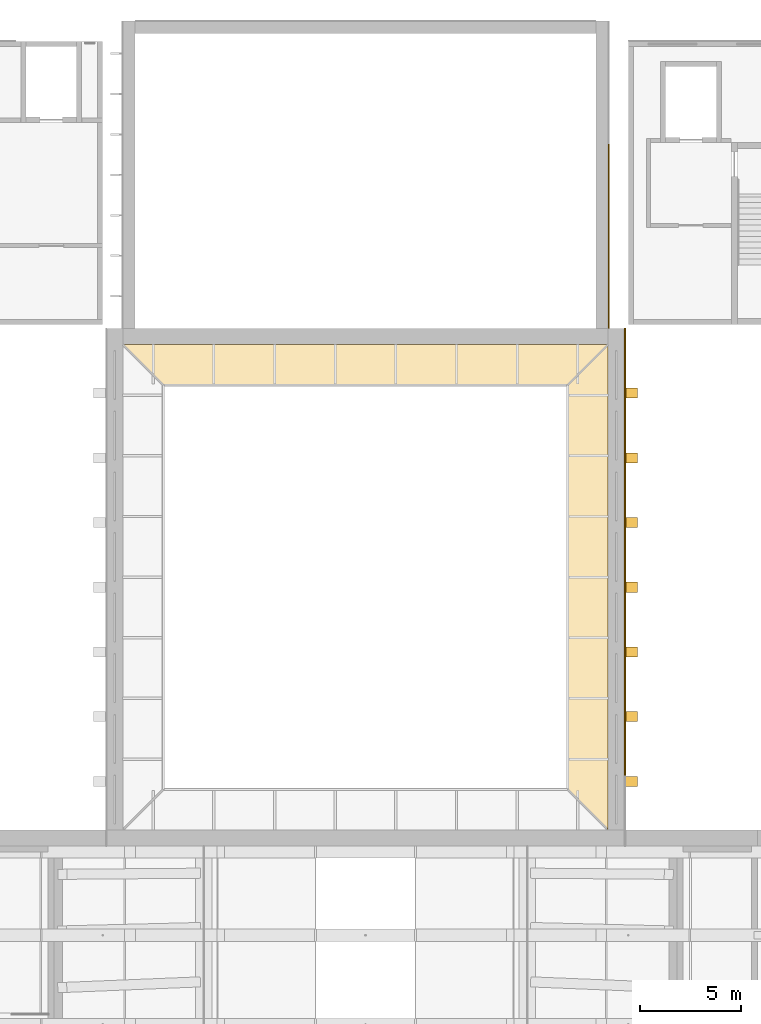
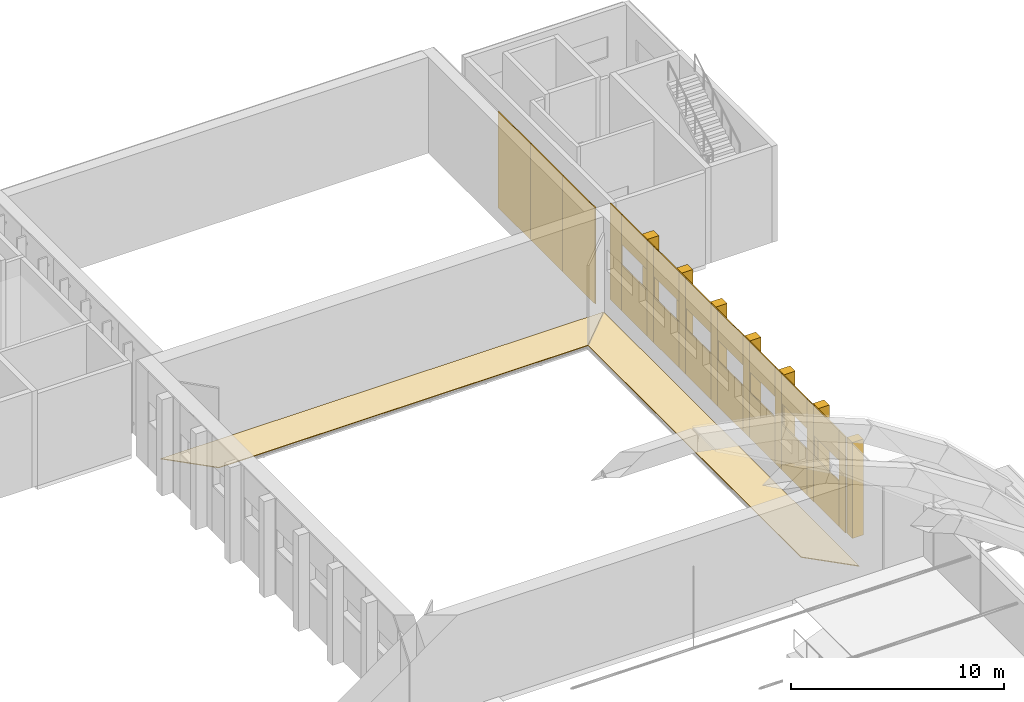
# One storey, part 89 of 94: 34 coverings.
"""IFC4 building model written with IfcOpenShell, lengths in metres."""

from ifc_helpers import new_model, si_unit, direction, frame, origin, origin_2d, place, context, subcontext, project, spatial, polyline, rectangle, outline, extrude, material, layer, layer_set, type_object, element, save


model = new_model("IFC4")

# Units and contexts
model_context = context("Model", 3, precision=1e-05, world=origin(), true_north=direction((0.0, 1.0)))
body_context = subcontext(model_context, "Body", "Model", "MODEL_VIEW")
ifc_project = project(units=[si_unit("LENGTHUNIT", "METRE"), si_unit("AREAUNIT", "SQUARE_METRE"), si_unit("VOLUMEUNIT", "CUBIC_METRE"), si_unit("PLANEANGLEUNIT", "RADIAN"), si_unit("MASSUNIT", "GRAM", prefix="KILO")], contexts=[model_context])

# Site, building, storey
site_placement = place(None, origin())
site = spatial("IfcSite", under=ifc_project, at=site_placement, CompositionType="ELEMENT")
building_placement = place(site_placement, origin())
building = spatial("IfcBuilding", under=site, at=building_placement, Name="Lunette Opera House", CompositionType="ELEMENT")
storey_placement = place(building_placement, frame((0.0, 0.0, 22.5)))
storey = spatial("IfcBuildingStorey", under=building, at=storey_placement, Name="L04", CompositionType="ELEMENT", Elevation=22.5)

# Coverings
ifc_material_1 = material(Name="Aluminium standing seam cladding", Category="aluminium")
ifc_layer_1 = layer(ifc_material_1, 0.06005859375)
ifc_layer_set_1 = layer_set([ifc_layer_1], Name="Aluminium standing seam cladding")
covering_type_1 = type_object("IfcCoveringType", Name="STANDING SEAM CLADDING 60", PredefinedType="CLADDING", material=ifc_layer_set_1)
covering_1_placement = place(storey_placement, frame((108.830078125, 99.0, 0.0), z_axis=(0.0, 0.0, 1.0), x_axis=(0.0, 1.0, 0.0)))
element("IfcCovering", 1, at=covering_1_placement, inside=storey, type_object=covering_type_1, Name="Standing seam cladding WE L04 20", PredefinedType="CLADDING", context=body_context, shape_type="SweptSolid", body=[
    extrude(rectangle(XDim=0.60009765625, YDim=0.06005859375, at=origin_2d()), origin(), (0.0, 0.0, 1.0), 5.5),
])
covering_2_placement = place(storey_placement, frame((108.830078125, 100.5, 0.0), z_axis=(0.0, 0.0, 1.0), x_axis=(0.0, 1.0, 0.0)))
element("IfcCovering", 2, at=covering_2_placement, inside=storey, type_object=covering_type_1, Name="Standing seam cladding WE L04 30", PredefinedType="CLADDING", context=body_context, shape_type="SweptSolid", body=[
    extrude(rectangle(XDim=2.39990234375, YDim=0.06005859375, at=origin_2d()), origin(), (0.0, 0.0, 1.0), 2.60009765625),
])
covering_3_placement = place(storey_placement, frame((108.830078125, 100.5, 3.7998046875), z_axis=(0.0, 0.0, 1.0), x_axis=(0.0, 1.0, 0.0)))
element("IfcCovering", 3, at=covering_3_placement, inside=storey, type_object=covering_type_1, Name="Standing seam cladding WE L04 31", PredefinedType="CLADDING", context=body_context, shape_type="SweptSolid", body=[
    extrude(rectangle(XDim=2.39990234375, YDim=0.06005859375, at=origin_2d()), origin(), (0.0, 0.0, 1.0), 1.699951171875),
])
covering_4_placement = place(storey_placement, frame((108.830078125, 102.0, 0.0), z_axis=(0.0, 0.0, 1.0), x_axis=(0.0, 1.0, 0.0)))
element("IfcCovering", 4, at=covering_4_placement, inside=storey, type_object=covering_type_1, Name="Standing seam cladding WE L04 40", PredefinedType="CLADDING", context=body_context, shape_type="SweptSolid", body=[
    extrude(rectangle(XDim=0.60009765625, YDim=0.06005859375, at=origin_2d()), origin(), (0.0, 0.0, 1.0), 5.5),
])
covering_5_placement = place(storey_placement, frame((108.830078125, 103.5, 0.0), z_axis=(0.0, 0.0, 1.0), x_axis=(0.0, 1.0, 0.0)))
element("IfcCovering", 5, at=covering_5_placement, inside=storey, type_object=covering_type_1, Name="Standing seam cladding WE L04 50", PredefinedType="CLADDING", context=body_context, shape_type="SweptSolid", body=[
    extrude(rectangle(XDim=2.39990234375, YDim=0.06005859375, at=origin_2d()), origin(), (0.0, 0.0, 1.0), 2.60009765625),
])
covering_6_placement = place(storey_placement, frame((108.830078125, 103.5, 3.7998046875), z_axis=(0.0, 0.0, 1.0), x_axis=(0.0, 1.0, 0.0)))
element("IfcCovering", 6, at=covering_6_placement, inside=storey, type_object=covering_type_1, Name="Standing seam cladding WE L04 51", PredefinedType="CLADDING", context=body_context, shape_type="SweptSolid", body=[
    extrude(rectangle(XDim=2.39990234375, YDim=0.06005859375, at=origin_2d()), origin(), (0.0, 0.0, 1.0), 1.699951171875),
])
covering_7_placement = place(storey_placement, frame((108.830078125, 105.0, 0.0), z_axis=(0.0, 0.0, 1.0), x_axis=(0.0, 1.0, 0.0)))
element("IfcCovering", 7, at=covering_7_placement, inside=storey, type_object=covering_type_1, Name="Standing seam cladding WE L04 60", PredefinedType="CLADDING", context=body_context, shape_type="SweptSolid", body=[
    extrude(rectangle(XDim=0.60009765625, YDim=0.06005859375, at=origin_2d()), origin(), (0.0, 0.0, 1.0), 5.5),
])
covering_8_placement = place(storey_placement, frame((108.830078125, 106.5, 0.0), z_axis=(0.0, 0.0, 1.0), x_axis=(0.0, 1.0, 0.0)))
element("IfcCovering", 8, at=covering_8_placement, inside=storey, type_object=covering_type_1, Name="Standing seam cladding WE L04 70", PredefinedType="CLADDING", context=body_context, shape_type="SweptSolid", body=[
    extrude(rectangle(XDim=2.39990234375, YDim=0.06005859375, at=origin_2d()), origin(), (0.0, 0.0, 1.0), 2.60009765625),
])
covering_9_placement = place(storey_placement, frame((108.830078125, 106.5, 3.7998046875), z_axis=(0.0, 0.0, 1.0), x_axis=(0.0, 1.0, 0.0)))
element("IfcCovering", 9, at=covering_9_placement, inside=storey, type_object=covering_type_1, Name="Standing seam cladding WE L04 71", PredefinedType="CLADDING", context=body_context, shape_type="SweptSolid", body=[
    extrude(rectangle(XDim=2.39990234375, YDim=0.06005859375, at=origin_2d()), origin(), (0.0, 0.0, 1.0), 1.699951171875),
])
covering_10_placement = place(storey_placement, frame((108.830078125, 108.0, 0.0), z_axis=(0.0, 0.0, 1.0), x_axis=(0.0, 1.0, 0.0)))
element("IfcCovering", 10, at=covering_10_placement, inside=storey, type_object=covering_type_1, Name="Standing seam cladding WE L04 80", PredefinedType="CLADDING", context=body_context, shape_type="SweptSolid", body=[
    extrude(rectangle(XDim=0.60009765625, YDim=0.06005859375, at=origin_2d()), origin(), (0.0, 0.0, 1.0), 5.5),
])
covering_11_placement = place(storey_placement, frame((108.830078125, 109.5, 0.0), z_axis=(0.0, 0.0, 1.0), x_axis=(0.0, 1.0, 0.0)))
element("IfcCovering", 11, at=covering_11_placement, inside=storey, type_object=covering_type_1, Name="Standing seam cladding WE L04 90", PredefinedType="CLADDING", context=body_context, shape_type="SweptSolid", body=[
    extrude(rectangle(XDim=2.39990234375, YDim=0.06005859375, at=origin_2d()), origin(), (0.0, 0.0, 1.0), 2.60009765625),
])
covering_12_placement = place(storey_placement, frame((108.830078125, 109.5, 3.7998046875), z_axis=(0.0, 0.0, 1.0), x_axis=(0.0, 1.0, 0.0)))
element("IfcCovering", 12, at=covering_12_placement, inside=storey, type_object=covering_type_1, Name="Standing seam cladding WE L04 91", PredefinedType="CLADDING", context=body_context, shape_type="SweptSolid", body=[
    extrude(rectangle(XDim=2.39990234375, YDim=0.06005859375, at=origin_2d()), origin(), (0.0, 0.0, 1.0), 1.699951171875),
])
covering_13_placement = place(storey_placement, frame((108.830078125, 111.0, 0.0), z_axis=(0.0, 0.0, 1.0), x_axis=(0.0, 1.0, 0.0)))
element("IfcCovering", 13, at=covering_13_placement, inside=storey, type_object=covering_type_1, Name="Standing seam cladding WE L04 100", PredefinedType="CLADDING", context=body_context, shape_type="SweptSolid", body=[
    extrude(rectangle(XDim=0.60009765625, YDim=0.06005859375, at=origin_2d()), origin(), (0.0, 0.0, 1.0), 5.5),
])
covering_14_placement = place(storey_placement, frame((108.830078125, 112.5, 0.0), z_axis=(0.0, 0.0, 1.0), x_axis=(0.0, 1.0, 0.0)))
element("IfcCovering", 14, at=covering_14_placement, inside=storey, type_object=covering_type_1, Name="Standing seam cladding WE L04 110", PredefinedType="CLADDING", context=body_context, shape_type="SweptSolid", body=[
    extrude(rectangle(XDim=2.39990234375, YDim=0.06005859375, at=origin_2d()), origin(), (0.0, 0.0, 1.0), 2.60009765625),
])
covering_15_placement = place(storey_placement, frame((108.830078125, 112.5, 3.7998046875), z_axis=(0.0, 0.0, 1.0), x_axis=(0.0, 1.0, 0.0)))
element("IfcCovering", 15, at=covering_15_placement, inside=storey, type_object=covering_type_1, Name="Standing seam cladding WE L04 111", PredefinedType="CLADDING", context=body_context, shape_type="SweptSolid", body=[
    extrude(rectangle(XDim=2.39990234375, YDim=0.06005859375, at=origin_2d()), origin(), (0.0, 0.0, 1.0), 1.699951171875),
])
covering_16_placement = place(storey_placement, frame((108.830078125, 114.0, 0.0), z_axis=(0.0, 0.0, 1.0), x_axis=(0.0, 1.0, 0.0)))
element("IfcCovering", 16, at=covering_16_placement, inside=storey, type_object=covering_type_1, Name="Standing seam cladding WE L04 120", PredefinedType="CLADDING", context=body_context, shape_type="SweptSolid", body=[
    extrude(rectangle(XDim=0.60009765625, YDim=0.06005859375, at=origin_2d()), origin(), (0.0, 0.0, 1.0), 5.5),
])
covering_17_placement = place(storey_placement, frame((108.830078125, 115.5, 0.0), z_axis=(0.0, 0.0, 1.0), x_axis=(0.0, 1.0, 0.0)))
element("IfcCovering", 17, at=covering_17_placement, inside=storey, type_object=covering_type_1, Name="Standing seam cladding WE L04 130", PredefinedType="CLADDING", context=body_context, shape_type="SweptSolid", body=[
    extrude(rectangle(XDim=2.39990234375, YDim=0.06005859375, at=origin_2d()), origin(), (0.0, 0.0, 1.0), 2.60009765625),
])
covering_18_placement = place(storey_placement, frame((108.830078125, 115.5, 3.7998046875), z_axis=(0.0, 0.0, 1.0), x_axis=(0.0, 1.0, 0.0)))
element("IfcCovering", 18, at=covering_18_placement, inside=storey, type_object=covering_type_1, Name="Standing seam cladding WE L04 131", PredefinedType="CLADDING", context=body_context, shape_type="SweptSolid", body=[
    extrude(rectangle(XDim=2.39990234375, YDim=0.06005859375, at=origin_2d()), origin(), (0.0, 0.0, 1.0), 1.699951171875),
])
covering_19_placement = place(storey_placement, frame((108.830078125, 117.0, 0.0), z_axis=(0.0, 0.0, 1.0), x_axis=(0.0, 1.0, 0.0)))
element("IfcCovering", 19, at=covering_19_placement, inside=storey, type_object=covering_type_1, Name="Standing seam cladding WE L04 140", PredefinedType="CLADDING", context=body_context, shape_type="SweptSolid", body=[
    extrude(rectangle(XDim=0.60009765625, YDim=0.06005859375, at=origin_2d()), origin(), (0.0, 0.0, 1.0), 5.5),
])
covering_20_placement = place(storey_placement, frame((108.830078125, 118.5, 0.0), z_axis=(0.0, 0.0, 1.0), x_axis=(0.0, 1.0, 0.0)))
element("IfcCovering", 20, at=covering_20_placement, inside=storey, type_object=covering_type_1, Name="Standing seam cladding WE L04 150", PredefinedType="CLADDING", context=body_context, shape_type="SweptSolid", body=[
    extrude(rectangle(XDim=2.39990234375, YDim=0.06005859375, at=origin_2d()), origin(), (0.0, 0.0, 1.0), 2.60009765625),
])
covering_21_placement = place(storey_placement, frame((108.830078125, 118.5, 3.7998046875), z_axis=(0.0, 0.0, 1.0), x_axis=(0.0, 1.0, 0.0)))
element("IfcCovering", 21, at=covering_21_placement, inside=storey, type_object=covering_type_1, Name="Standing seam cladding WE L04 151", PredefinedType="CLADDING", context=body_context, shape_type="SweptSolid", body=[
    extrude(rectangle(XDim=2.39990234375, YDim=0.06005859375, at=origin_2d()), origin(), (0.0, 0.0, 1.0), 1.699951171875),
])
covering_22_placement = place(storey_placement, frame((108.830078125, 120.25, 0.0), z_axis=(0.0, 0.0, 1.0), x_axis=(0.0, 1.0, 0.0)))
element("IfcCovering", 22, at=covering_22_placement, inside=storey, type_object=covering_type_1, Name="Standing seam cladding WE L04 160", PredefinedType="CLADDING", context=body_context, shape_type="SweptSolid", body=[
    extrude(rectangle(XDim=1.10009765625, YDim=0.06005859375, at=origin_2d()), origin(), (0.0, 0.0, 1.0), 5.5),
])
for number, where, z_axis, x_axis, name in (
    (23, (108.030029296875, 122.320068359375, 0.0), (0.0, 0.0, 1.0), (0.0, 1.0, 0.0), "Standing seam cladding SR-E-1 L04 00"),
    (24, (108.030029296875, 125.360107421875, 0.0), (0.0, 0.0, 1.0), (0.0, 1.0, 0.0), "Standing seam cladding SR-E-1 L04 01"),
    (25, (108.030029296875, 128.39990234375, 0.0), (0.0, 0.0, 1.0), (0.0, 1.0, 0.0), "Standing seam cladding SR-E-1 L04 02"),
):
    element("IfcCovering", number, at=place(storey_placement, frame(where, z_axis=z_axis, x_axis=x_axis)), inside=storey, type_object=covering_type_1, Name=name, PredefinedType="CLADDING", context=body_context, shape_type="SweptSolid", body=[
        extrude(rectangle(XDim=3.0400390625, YDim=0.06005859375, at=origin_2d()), origin(), (0.0, 0.0, 1.0), 5.5),
    ])
ifc_material_2 = material(Name="Timber", Category="wood")
ifc_layer_2 = layer(ifc_material_2, 0.0400390625)
ifc_layer_set_2 = layer_set([ifc_layer_2], Name="Timber")
covering_type_2 = type_object("IfcCoveringType", Name="TIMBER FLOOR FINISH 40", PredefinedType="FLOORING", material=ifc_layer_set_2)
covering_23_placement = place(storey_placement, origin())
element("IfcCovering", 26, at=covering_23_placement, inside=storey, type_object=covering_type_2, Name="Floor finish Fly Gallery 22.5 North", PredefinedType="FLOORING", context=body_context, shape_type="SweptSolid", body=[
    extrude(outline(polyline([(106.0, 118.0), (86.0, 118.0), (84.0, 120.0), (108.0, 120.0), (106.0, 118.0)])), origin(), (0.0, 0.0, 1.0), 0.0400390625),
])
covering_24_placement = place(storey_placement, origin())
element("IfcCovering", 27, at=covering_24_placement, inside=storey, type_object=covering_type_2, Name="Floor finish Fly Gallery 22.5 East", PredefinedType="FLOORING", context=body_context, shape_type="SweptSolid", body=[
    extrude(outline(polyline([(106.0, 98.0), (106.0, 118.0), (108.0, 120.0), (108.0, 96.0), (106.0, 98.0)])), origin(), (0.0, 0.0, 1.0), 0.0400390625),
])
ifc_material_3 = material(Name="Weathering steel plate", Category="steel")
ifc_layer_3 = layer(ifc_material_3, 0.60009765625)
ifc_layer_set_3 = layer_set([ifc_layer_3], Name="Weathering steel plate")
covering_type_3 = type_object("IfcCoveringType", Name="TOWER RIB 500 X 600", PredefinedType="CLADDING", material=ifc_layer_set_3)
for number, where, z_axis, x_axis, name in (
    (28, (109.159912109375, 98.39990234375, 0.0), (0.0, 0.0, 1.0), (0.0, 1.0, 0.0), "Tower rib WE L04 1"),
    (29, (109.159912109375, 101.60009765625, 0.0), (0.0, 0.0, 1.0), (0.0, 1.0, 0.0), "Tower rib WE L04 2"),
    (30, (109.159912109375, 104.800048828125, 0.0), (0.0, 0.0, 1.0), (0.0, 1.0, 0.0), "Tower rib WE L04 3"),
    (31, (109.159912109375, 108.0, 0.0), (0.0, 0.0, 1.0), (0.0, 1.0, 0.0), "Tower rib WE L04 4"),
    (32, (109.159912109375, 111.199951171875, 0.0), (0.0, 0.0, 1.0), (0.0, 1.0, 0.0), "Tower rib WE L04 5"),
    (33, (109.159912109375, 114.39990234375, 0.0), (0.0, 0.0, 1.0), (0.0, 1.0, 0.0), "Tower rib WE L04 6"),
    (34, (109.159912109375, 117.60009765625, 0.0), (0.0, 0.0, 1.0), (0.0, 1.0, 0.0), "Tower rib WE L04 7"),
):
    element("IfcCovering", number, at=place(storey_placement, frame(where, z_axis=z_axis, x_axis=x_axis)), inside=storey, type_object=covering_type_3, Name=name, PredefinedType="CLADDING", context=body_context, shape_type="SweptSolid", body=[
        extrude(rectangle(XDim=0.5, YDim=0.60009765625, at=origin_2d()), origin(), (0.0, 0.0, 1.0), 5.5),
    ])

save(model, "model.ifc")
